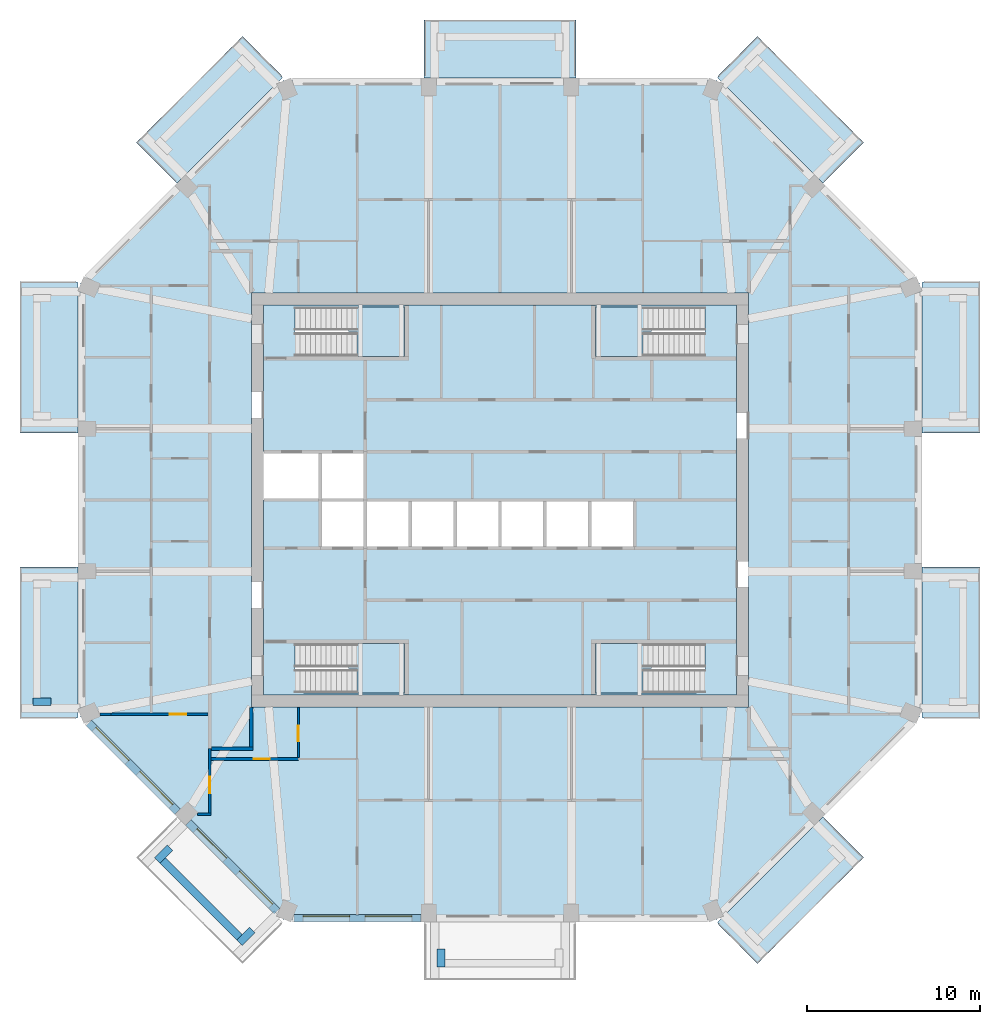
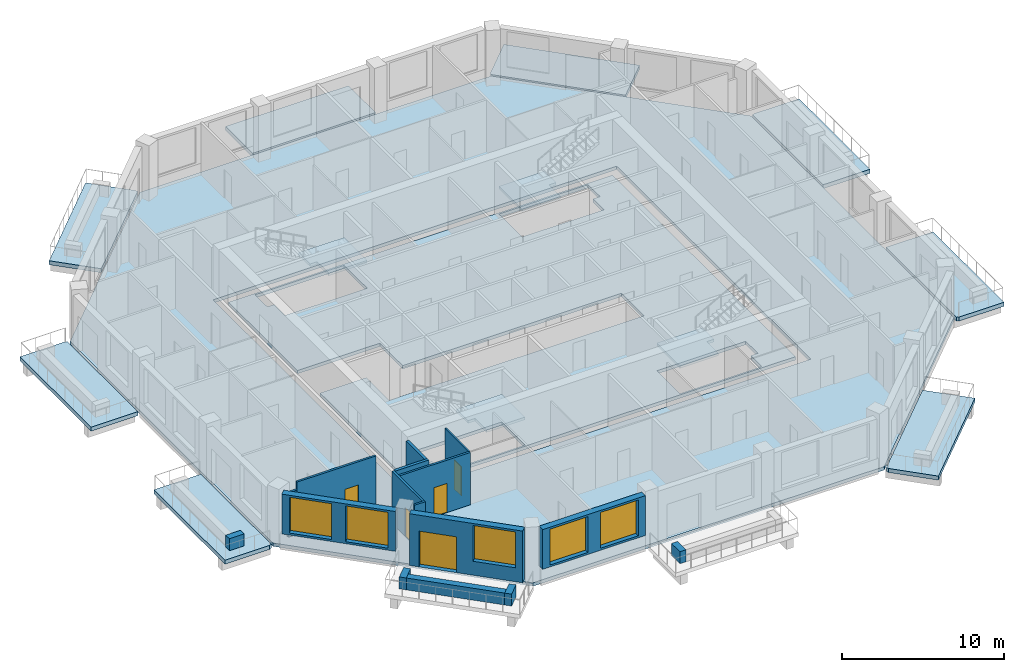
# One storey, part 2 of 12: 16 walls, 14 slabs, 5 doors, 5 windows, 10 openings, 4 elements without a shape of their own.
"""IFC4 building model written with IfcOpenShell, lengths in metres."""

from ifc_helpers import new_model, si_unit, direction, frame, frame_2d, origin, place, context, subcontext, project, spatial, polyline, rectangle, outline, extrude, material, layer, layer_set, type_object, element, fill, aggregate, save


model = new_model("IFC4")

# Units and contexts
model_context = context("Model", 3, precision=1e-05, world=origin(), true_north=direction((0.0, 1.0)))
body_context = subcontext(model_context, "Body", "Model", "MODEL_VIEW")
ifc_project = project(units=[si_unit("LENGTHUNIT", "METRE"), si_unit("AREAUNIT", "SQUARE_METRE"), si_unit("VOLUMEUNIT", "CUBIC_METRE"), si_unit("PLANEANGLEUNIT", "RADIAN"), si_unit("MASSUNIT", "GRAM", prefix="KILO")], contexts=[model_context])

# Site, building, storey
site_placement = place(None, origin())
site = spatial("IfcSite", under=ifc_project, at=site_placement, CompositionType="ELEMENT")
building_placement = place(site_placement, origin())
building = spatial("IfcBuilding", under=site, at=building_placement, Name="Msitu Wima Residences", CompositionType="ELEMENT")
storey_placement = place(building_placement, frame((0.0, 0.0, 170.699951171875)))
storey = spatial("IfcBuildingStorey", under=building, at=storey_placement, Name="L39", CompositionType="ELEMENT", Elevation=170.699951171875)

# Slabs
ifc_material_1 = material(Name="Concrete C40/50", Category="concrete")
ifc_layer_1 = layer(ifc_material_1, 0.300048828125)
ifc_layer_set_1 = layer_set([ifc_layer_1], Name="Concrete C40/50")
slab_type_1 = type_object("IfcSlabType", Name="Balcony slab BS300", PredefinedType="FLOOR", material=ifc_layer_set_1)
slab_1_placement = place(storey_placement, frame((0.0, 0.0, -0.300048828125)))
element("IfcSlab", 1, at=slab_1_placement, inside=storey, type_object=slab_type_1, Name="Balcony E0 L39", PredefinedType="FLOOR", context=body_context, shape_type="SweptSolid", body=[
    extrude(outline(polyline([(24.449951171875, -12.111083984375), (24.449951171875, -12.111083984375), (24.449951171875, -4.587158203125), (24.449951171875, -4.587158203125), (24.449951171875, -3.88720703125), (27.800048828125, -3.88720703125), (27.800048828125, -12.661865234375), (24.603515625, -12.661865234375), (24.449951171875, -12.59814453125), (24.449951171875, -12.111083984375), (24.449951171875, -12.111083984375)])), origin(), (0.0, 0.0, 1.0), 0.300048828125),
])
slab_2_placement = place(storey_placement, frame((0.0, 0.0, -0.300048828125)))
element("IfcSlab", 2, at=slab_2_placement, inside=storey, type_object=slab_type_1, Name="Balcony E2 L39", PredefinedType="FLOOR", context=body_context, shape_type="SweptSolid", body=[
    extrude(outline(polyline([(24.449951171875, 12.111083984375), (24.449951171875, 12.111083984375), (24.449951171875, 12.111083984375), (24.449951171875, 12.59814453125), (24.603515625, 12.661865234375), (27.800048828125, 12.661865234375), (27.800048828125, 3.88720703125), (24.449951171875, 3.88720703125), (24.449951171875, 4.587158203125), (24.449951171875, 12.111083984375)])), origin(), (0.0, 0.0, 1.0), 0.300048828125),
])
slab_3_placement = place(storey_placement, frame((0.0, 0.0, -0.300048828125)))
element("IfcSlab", 3, at=slab_3_placement, inside=storey, type_object=slab_type_1, Name="Balcony NE1 L39", PredefinedType="FLOOR", context=body_context, shape_type="SweptSolid", body=[
    extrude(outline(polyline([(12.942626953125, 24.10546875), (12.942626953125, 24.10546875), (12.59814453125, 24.449951171875), (12.661865234375, 24.603515625), (14.922119140625, 26.86376953125), (21.069580078125, 20.716064453125), (18.700927734375, 18.347412109375), (12.942626953125, 24.10546875), (12.942626953125, 24.10546875)])), origin(), (0.0, 0.0, 1.0), 0.300048828125),
])
slab_4_placement = place(storey_placement, frame((0.0, 0.0, -0.300048828125)))
element("IfcSlab", 4, at=slab_4_placement, inside=storey, type_object=slab_type_1, Name="Balcony N1 L39", PredefinedType="FLOOR", context=body_context, shape_type="SweptSolid", body=[
    extrude(outline(polyline([(3.687255859375, 24.449951171875), (-3.687255859375, 24.449951171875), (-4.38720703125, 24.449951171875), (-4.38720703125, 27.800048828125), (4.38720703125, 27.800048828125), (4.38720703125, 24.449951171875), (3.687255859375, 24.449951171875)])), origin(), (0.0, 0.0, 1.0), 0.300048828125),
])
slab_5_placement = place(storey_placement, frame((0.0, 0.0, -0.300048828125)))
element("IfcSlab", 5, at=slab_5_placement, inside=storey, type_object=slab_type_1, Name="Balcony NW0 L39", PredefinedType="FLOOR", context=body_context, shape_type="SweptSolid", body=[
    extrude(outline(polyline([(-12.942626953125, 24.10546875), (-12.942626953125, 24.10546875), (-18.700927734375, 18.347412109375), (-21.069580078125, 20.716064453125), (-14.922119140625, 26.86376953125), (-12.661865234375, 24.603515625), (-12.59814453125, 24.449951171875), (-12.942626953125, 24.10546875), (-12.942626953125, 24.10546875)])), origin(), (0.0, 0.0, 1.0), 0.300048828125),
])
slab_6_placement = place(storey_placement, frame((0.0, 0.0, -0.300048828125)))
element("IfcSlab", 6, at=slab_6_placement, inside=storey, type_object=slab_type_1, Name="Balcony W0 L39", PredefinedType="FLOOR", context=body_context, shape_type="SweptSolid", body=[
    extrude(outline(polyline([(-24.449951171875, 12.111083984375), (-24.449951171875, 12.111083984375), (-24.449951171875, 4.587158203125), (-24.449951171875, 3.88720703125), (-27.800048828125, 3.88720703125), (-27.800048828125, 12.661865234375), (-24.603515625, 12.661865234375), (-24.449951171875, 12.59814453125), (-24.449951171875, 12.111083984375), (-24.449951171875, 12.111083984375)])), origin(), (0.0, 0.0, 1.0), 0.300048828125),
])
slab_7_placement = place(storey_placement, frame((0.0, 0.0, -0.300048828125)))
element("IfcSlab", 7, at=slab_7_placement, inside=storey, type_object=slab_type_1, Name="Balcony W2 L39", PredefinedType="FLOOR", context=body_context, shape_type="SweptSolid", body=[
    extrude(outline(polyline([(-24.449951171875, -12.111083984375), (-24.449951171875, -12.111083984375), (-24.449951171875, -12.59814453125), (-24.603515625, -12.661865234375), (-27.800048828125, -12.661865234375), (-27.800048828125, -3.88720703125), (-24.449951171875, -3.88720703125), (-24.449951171875, -4.587158203125), (-24.449951171875, -4.587158203125), (-24.449951171875, -12.111083984375), (-24.449951171875, -12.111083984375)])), origin(), (0.0, 0.0, 1.0), 0.300048828125),
])
slab_8_placement = place(storey_placement, frame((0.0, 0.0, -0.300048828125)))
element("IfcSlab", 8, at=slab_8_placement, inside=storey, type_object=slab_type_1, Name="Balcony SE0 L39", PredefinedType="FLOOR", context=body_context, shape_type="SweptSolid", body=[
    extrude(outline(polyline([(12.942626953125, -24.10546875), (12.942626953125, -24.10546875), (18.700927734375, -18.347412109375), (21.069580078125, -20.716064453125), (14.922119140625, -26.86376953125), (12.661865234375, -24.603515625), (12.59814453125, -24.449951171875), (12.942626953125, -24.10546875), (12.942626953125, -24.10546875)])), origin(), (0.0, 0.0, 1.0), 0.300048828125),
])
ifc_layer_2 = layer(ifc_material_1, 0.25)
ifc_layer_set_2 = layer_set([ifc_layer_2], Name="Concrete C40/50")
slab_type_2 = type_object("IfcSlabType", Name="Core floor CF250", PredefinedType="FLOOR", material=ifc_layer_set_2)
slab_9_placement = place(storey_placement, frame((0.0, 0.0, -0.25)))
element("IfcSlab", 9, at=slab_9_placement, inside=storey, type_object=slab_type_2, Name="Core floor", PredefinedType="FLOOR", context=body_context, shape_type="SweptSolid", body=[
    extrude(outline(polyline([(-13.699951171875, 11.300048828125), (-13.699951171875, 2.800048828125), (-10.39990234375, 2.800048828125), (-7.800048828125, 2.800048828125), (-7.800048828125, 0.0), (-5.199951171875, 0.0), (-2.60009765625, 0.0), (0.0, 0.0), (2.60009765625, 0.0), (5.199951171875, 0.0), (7.800048828125, 0.0), (7.800048828125, -2.800048828125), (5.199951171875, -2.800048828125), (2.60009765625, -2.800048828125), (0.0, -2.800048828125), (-2.60009765625, -2.800048828125), (-5.199951171875, -2.800048828125), (-7.800048828125, -2.800048828125), (-10.39990234375, -2.800048828125), (-10.39990234375, 0.0), (-13.699951171875, 0.0), (-13.699951171875, -11.300048828125), (13.699951171875, -11.300048828125), (13.699951171875, 11.300048828125), (-13.699951171875, 11.300048828125)]), holes=[polyline([(-11.375, -11.175048828125), (-11.375, -9.824951171875), (-11.87451171875, -9.824951171875), (-11.87451171875, -8.324951171875), (-5.52490234375, -8.324951171875), (-5.52490234375, -11.175048828125), (-11.375, -11.175048828125)]), polyline([(-11.375, 8.324951171875), (-11.375, 9.675048828125), (-11.87451171875, 9.675048828125), (-11.87451171875, 11.175048828125), (-5.52490234375, 11.175048828125), (-5.52490234375, 8.324951171875), (-11.375, 8.324951171875)]), polyline([(11.375, -9.824951171875), (11.375, -11.175048828125), (5.52490234375, -11.175048828125), (5.52490234375, -8.324951171875), (11.87451171875, -8.324951171875), (11.87451171875, -9.824951171875), (11.375, -9.824951171875)]), polyline([(11.375, 9.675048828125), (11.375, 8.324951171875), (5.52490234375, 8.324951171875), (5.52490234375, 11.175048828125), (11.87451171875, 11.175048828125), (11.87451171875, 9.675048828125), (11.375, 9.675048828125)])]), origin(), (0.0, 0.0, 1.0), 0.25),
])
ifc_layer_3 = layer(ifc_material_1, 0.25)
ifc_layer_set_3 = layer_set([ifc_layer_3], Name="Concrete C40/50")
slab_type_3 = type_object("IfcSlabType", Name="PT flat slab 250 Concrete C40/50", PredefinedType="FLOOR", material=ifc_layer_set_3)
slab_10_placement = place(storey_placement, frame((0.0, 0.0, -0.25)))
element("IfcSlab", 10, at=slab_10_placement, inside=storey, type_object=slab_type_3, Name="Floor slab L39", PredefinedType="FLOOR", context=body_context, shape_type="SweptSolid", body=[
    extrude(outline(polyline([(24.300048828125, -12.5361328125), (12.5361328125, -24.300048828125), (-12.5361328125, -24.300048828125), (-24.300048828125, -12.5361328125), (-24.300048828125, 12.5361328125), (-12.5361328125, 24.300048828125), (12.5361328125, 24.300048828125), (24.300048828125, 12.5361328125), (24.300048828125, -12.5361328125)]), holes=[polyline([(-14.39990234375, -12.0), (14.39990234375, -12.0), (14.39990234375, 12.0), (-14.39990234375, 12.0), (-14.39990234375, -12.0)])]), origin(), (0.0, 0.0, 1.0), 0.25),
])

# Stair, slab
stair_type = type_object("IfcStairType", Name="Exit stair ES1615-135", PredefinedType="HALF_TURN_STAIR", material=ifc_material_1)
stair_1_placement = place(storey_placement, origin())
stair_1 = element("IfcStair", 11, at=stair_1_placement, inside=storey, type_object=stair_type, Name="Exit stair 1", PredefinedType="HALF_TURN_STAIR")
ifc_layer_4 = layer(ifc_material_1, 0.199951171875)
ifc_layer_set_4 = layer_set([ifc_layer_4], Name="Concrete C40/50")
slab_type_4 = type_object("IfcSlabType", Name="Stair landing SL200", PredefinedType="LANDING", material=ifc_layer_set_4)
slab_11_placement = place(storey_placement, frame((0.0, 0.0, 1.900146484375)))
slab_11 = element("IfcSlab", 12, at=slab_11_placement, type_object=slab_type_4, Name="S1 landing 1", PredefinedType="LANDING", context=body_context, shape_type="SweptSolid", body=[
    extrude(outline(polyline([(-5.52490234375, 8.324951171875), (-8.275390625, 8.324951171875), (-8.275390625, 9.75), (-8.77490234375, 9.75), (-8.77490234375, 11.175048828125), (-5.52490234375, 11.175048828125), (-5.52490234375, 8.324951171875)])), origin(), (0.0, 0.0, 1.0), 0.199951171875),
])
aggregate(stair_1, [slab_11])

stair_2_placement = place(storey_placement, origin())
stair_2 = element("IfcStair", 13, at=stair_2_placement, inside=storey, type_object=stair_type, Name="Exit stair 2", PredefinedType="HALF_TURN_STAIR")
slab_12_placement = place(storey_placement, frame((0.0, 0.0, 1.900146484375)))
slab_12 = element("IfcSlab", 14, at=slab_12_placement, type_object=slab_type_4, Name="S2 landing 1", PredefinedType="LANDING", context=body_context, shape_type="SweptSolid", body=[
    extrude(outline(polyline([(-5.52490234375, -11.175048828125), (-8.275390625, -11.175048828125), (-8.275390625, -9.75), (-8.77490234375, -9.75), (-8.77490234375, -8.324951171875), (-5.52490234375, -8.324951171875), (-5.52490234375, -11.175048828125)])), origin(), (0.0, 0.0, 1.0), 0.199951171875),
])
aggregate(stair_2, [slab_12])

stair_3_placement = place(storey_placement, origin())
stair_3 = element("IfcStair", 15, at=stair_3_placement, inside=storey, type_object=stair_type, Name="Exit stair 3", PredefinedType="HALF_TURN_STAIR")
slab_13_placement = place(storey_placement, frame((0.0, 0.0, 1.900146484375)))
slab_13 = element("IfcSlab", 16, at=slab_13_placement, type_object=slab_type_4, Name="S3 landing 1", PredefinedType="LANDING", context=body_context, shape_type="SweptSolid", body=[
    extrude(outline(polyline([(5.52490234375, 8.324951171875), (8.275390625, 8.324951171875), (8.275390625, 9.75), (8.77490234375, 9.75), (8.77490234375, 11.175048828125), (5.52490234375, 11.175048828125), (5.52490234375, 8.324951171875)])), origin(), (0.0, 0.0, 1.0), 0.199951171875),
])
aggregate(stair_3, [slab_13])

stair_4_placement = place(storey_placement, origin())
stair_4 = element("IfcStair", 17, at=stair_4_placement, inside=storey, type_object=stair_type, Name="Exit stair 4", PredefinedType="HALF_TURN_STAIR")
slab_14_placement = place(storey_placement, frame((0.0, 0.0, 1.900146484375)))
slab_14 = element("IfcSlab", 18, at=slab_14_placement, type_object=slab_type_4, Name="S4 landing 1", PredefinedType="LANDING", context=body_context, shape_type="SweptSolid", body=[
    extrude(outline(polyline([(5.52490234375, -11.175048828125), (8.275390625, -11.175048828125), (8.275390625, -9.75), (8.77490234375, -9.75), (8.77490234375, -8.324951171875), (5.52490234375, -8.324951171875), (5.52490234375, -11.175048828125)])), origin(), (0.0, 0.0, 1.0), 0.199951171875),
])
aggregate(stair_4, [slab_14])

# Walls
ifc_material_2 = material(Name="Facing brick")
ifc_layer_5 = layer(ifc_material_2, 0.06494140625, Name="Facing brick")
ifc_layer_6 = layer(ifc_material_1, 0.156005859375, Name="Concrete C40/50")
ifc_material_3 = material(Name="Waterproofing membrane")
ifc_layer_7 = layer(ifc_material_3, 0.00390625, Name="Waterproofing membrane")
ifc_material_4 = material(Name="Planting soil and planting")
ifc_layer_8 = layer(ifc_material_4, 0.22509765625, Name="Planting soil and planting")
ifc_layer_set_5 = layer_set([ifc_layer_5, ifc_layer_6, ifc_layer_7, ifc_layer_8], Name="Concrete C40/50")
wall_type_1 = type_object("IfcWallType", Name="Balcony planter PLANTER PL450", PredefinedType="USERDEFINED", material=ifc_layer_set_5)
wall_1_placement = place(storey_placement, frame((-26.0, -11.686767578125, 0.0), z_axis=(0.0, 0.0, 1.0), x_axis=(-1.0, 0.0, 0.0)))
element("IfcWall", 19, at=wall_1_placement, inside=storey, type_object=wall_type_1, Name="Balcony planter W2 L39", ObjectType="PLANTER", PredefinedType="USERDEFINED", context=body_context, shape_type="SweptSolid", body=[
    extrude(rectangle(XDim=1.050048828125, YDim=0.449951171875, at=frame_2d((0.52490234375, 0.0))), origin(), (0.0, 0.0, 1.0), 0.900146484375),
])
wall_2_placement = place(storey_placement, frame((-19.53173828125, -20.875244140625, 0.0), z_axis=(0.0, 0.0, 1.0), x_axis=(0.707106781187, -0.707106781187, 0.0)))
element("IfcWall", 20, at=wall_2_placement, inside=storey, type_object=wall_type_1, Name="Balcony planter SW1 L39", ObjectType="PLANTER", PredefinedType="USERDEFINED", context=body_context, shape_type="SweptSolid", body=[
    extrude(rectangle(XDim=6.294189453125, YDim=0.449951171875, at=frame_2d((3.14697265625, 0.0))), origin(), (0.0, 0.0, 1.0), 0.900146484375),
])
for number, where, z_axis, x_axis, name in (
    (21, (-19.107421875, -20.1328125, 0.0), (0.0, 0.0, 1.0), (-0.707106781187, -0.707106781187, 0.0), "Balcony planter SW1 L39"),
    (22, (-14.338623046875, -24.901611328125, 0.0), (0.0, 0.0, 1.0), (-0.707106781187, -0.707106781187, 0.0), "Balcony planter SW1 L39"),
    (23, (-3.412353515625, -26.0, 0.0), (0.0, 0.0, 1.0), (0.0, -1.0, 0.0), "Balcony planter S1 L39"),
):
    element("IfcWall", number, at=place(storey_placement, frame(where, z_axis=z_axis, x_axis=x_axis)), inside=storey, type_object=wall_type_1, Name=name, ObjectType="PLANTER", PredefinedType="USERDEFINED", context=body_context, shape_type="SweptSolid", body=[
        extrude(rectangle(XDim=1.050048828125, YDim=0.449951171875, at=frame_2d((0.52490234375, 0.0))), origin(), (0.0, 0.0, 1.0), 0.900146484375),
    ])

# Wall, openings, windows
ifc_material_5 = material(Name="Brick (red buff mix)", Category="masonry")
ifc_layer_9 = layer(ifc_material_5, 0.449951171875)
ifc_layer_set_6 = layer_set([ifc_layer_9], Name="Brick (red buff mix)")
wall_type_2 = type_object("IfcWallType", Name="Brick infill wall BW450", PredefinedType="SOLIDWALL", material=ifc_layer_set_6)
wall_3_placement = place(storey_placement, frame((-23.814697265625, -12.915283203125, 0.900146484375), z_axis=(0.0, 0.0, 1.0), x_axis=(0.707106781187, -0.707106781187, 0.0)))
wall_3 = element("IfcWall", 24, at=wall_3_placement, inside=storey, type_object=wall_type_2, Name="Brick infill wall L39 SW0", PredefinedType="SOLIDWALL", context=body_context, shape_type="SweptSolid", body=[
    extrude(rectangle(XDim=7.257080078125, YDim=0.449951171875, at=frame_2d((3.62841796875, 0.0))), origin(), (0.0, 0.0, 1.0), 3.0),
])
opening_1_placement = place(wall_3_placement, frame((0.478515625, 0.0, 0.14990234375)))
opening_1 = element("IfcOpeningElement", 25, at=opening_1_placement, cuts=wall_3, Name="Opening W38-39.024", PredefinedType="OPENING", context=body_context, shape_type="SweptSolid", body=[
    extrude(rectangle(XDim=2.699951171875, YDim=2.699951171875, at=frame_2d((1.35009765625, 1.35009765625))), frame((0.0, 0.23486328125, 0.0), z_axis=(0.0, -1.0, 0.0), x_axis=(1.0, 0.0, 0.0)), (0.0, 0.0, 1.0), 0.469970703125),
])
opening_2_placement = place(wall_3_placement, frame((4.07861328125, 0.0, 0.14990234375)))
opening_2 = element("IfcOpeningElement", 26, at=opening_2_placement, cuts=wall_3, Name="Opening W38-39.025", PredefinedType="OPENING", context=body_context, shape_type="SweptSolid", body=[
    extrude(rectangle(XDim=2.699951171875, YDim=2.699951171875, at=frame_2d((1.35009765625, 1.35009765625))), frame((0.0, 0.23486328125, 0.0), z_axis=(0.0, -1.0, 0.0), x_axis=(1.0, 0.0, 0.0)), (0.0, 0.0, 1.0), 0.469970703125),
])
ifc_material_6 = material(Name="Anodised aluminium, bronze finish, clear low-emissivity double glazing", Category="aluminium")
window_type = type_object("IfcWindowType", Name="Window W2700x2700", PartitioningType="DOUBLE_PANEL_VERTICAL", PredefinedType="WINDOW", material=ifc_material_6)
window_1_placement = place(opening_1_placement, origin())
window_1 = element("IfcWindow", 27, at=window_1_placement, inside=storey, type_object=window_type, Name="Window L39 SW0.1", OverallHeight=2.699951171875, OverallWidth=2.699951171875, PartitioningType="SINGLE_PANEL", PredefinedType="WINDOW", context=body_context, shape_type="SweptSolid", body=[
    extrude(rectangle(XDim=2.699951171875, YDim=2.699951171875, at=frame_2d((1.35009765625, 1.35009765625))), frame((0.0, 0.135009765625, 0.0), z_axis=(0.0, -1.0, 0.0), x_axis=(1.0, 0.0, 0.0)), (0.0, 0.0, 1.0), 0.06005859375),
])
fill(opening_1, window_1)
window_2_placement = place(opening_2_placement, origin())
window_2 = element("IfcWindow", 28, at=window_2_placement, inside=storey, type_object=window_type, Name="Window L39 SW0.2", OverallHeight=2.699951171875, OverallWidth=2.699951171875, PartitioningType="SINGLE_PANEL", PredefinedType="WINDOW", context=body_context, shape_type="SweptSolid", body=[
    extrude(rectangle(XDim=2.699951171875, YDim=2.699951171875, at=frame_2d((1.35009765625, 1.35009765625))), frame((0.0, 0.135009765625, 0.0), z_axis=(0.0, -1.0, 0.0), x_axis=(1.0, 0.0, 0.0)), (0.0, 0.0, 1.0), 0.06005859375),
])
fill(opening_2, window_2)

# Wall, openings, door, window
wall_4_placement = place(storey_placement, frame((-18.046875, -18.68310546875, 0.0), z_axis=(0.0, 0.0, 1.0), x_axis=(0.707106781187, -0.707106781187, 0.0)))
wall_4 = element("IfcWall", 29, at=wall_4_placement, inside=storey, type_object=wall_type_2, Name="Brick infill wall L39 SW1", PredefinedType="SOLIDWALL", context=body_context, shape_type="SweptSolid", body=[
    extrude(rectangle(XDim=7.257080078125, YDim=0.449951171875, at=frame_2d((3.62841796875, 0.0))), origin(), (0.0, 0.0, 1.0), 3.900146484375),
])
opening_3_placement = place(wall_4_placement, frame((0.6142578125, 0.0, 0.0)))
opening_3 = element("IfcOpeningElement", 30, at=opening_3_placement, cuts=wall_4, Name="Opening D38-39.008", PredefinedType="OPENING", context=body_context, shape_type="SweptSolid", body=[
    extrude(rectangle(XDim=2.39990234375, YDim=2.699951171875, at=frame_2d((1.199951171875, 1.35009765625))), frame((0.0, 0.23486328125, 0.0), z_axis=(0.0, -1.0, 0.0), x_axis=(1.0, 0.0, 0.0)), (0.0, 0.0, 1.0), 0.469970703125),
])
opening_4_placement = place(wall_4_placement, frame((4.07861328125, 0.0, 1.050048828125)))
opening_4 = element("IfcOpeningElement", 31, at=opening_4_placement, cuts=wall_4, Name="Opening W38-39.026", PredefinedType="OPENING", context=body_context, shape_type="SweptSolid", body=[
    extrude(rectangle(XDim=2.699951171875, YDim=2.699951171875, at=frame_2d((1.35009765625, 1.35009765625))), frame((0.0, 0.23486328125, 0.0), z_axis=(0.0, -1.0, 0.0), x_axis=(1.0, 0.0, 0.0)), (0.0, 0.0, 1.0), 0.469970703125),
])
door_type_1 = type_object("IfcDoorType", Name="Balcony door D2400x2700", OperationType="SLIDING_TO_LEFT", PredefinedType="DOOR", material=ifc_material_6)
door_1_placement = place(opening_3_placement, origin())
door_1 = element("IfcDoor", 32, at=door_1_placement, inside=storey, type_object=door_type_1, Name="Balcony door L39 SW1", OperationType="SINGLE_SWING_LEFT", OverallHeight=2.699951171875, OverallWidth=2.39990234375, PredefinedType="DOOR", context=body_context, shape_type="SweptSolid", body=[
    extrude(rectangle(XDim=2.39990234375, YDim=2.699951171875, at=frame_2d((1.199951171875, 1.35009765625))), frame((0.0, 0.1298828125, 0.0), z_axis=(0.0, -1.0, 0.0), x_axis=(1.0, 0.0, 0.0)), (0.0, 0.0, 1.0), 0.050048828125),
])
fill(opening_3, door_1)
window_3_placement = place(opening_4_placement, origin())
window_3 = element("IfcWindow", 33, at=window_3_placement, inside=storey, type_object=window_type, Name="Window L39 SW1.2", OverallHeight=2.699951171875, OverallWidth=2.699951171875, PartitioningType="SINGLE_PANEL", PredefinedType="WINDOW", context=body_context, shape_type="SweptSolid", body=[
    extrude(rectangle(XDim=2.699951171875, YDim=2.699951171875, at=frame_2d((1.35009765625, 1.35009765625))), frame((0.0, 0.135009765625, 0.0), z_axis=(0.0, -1.0, 0.0), x_axis=(1.0, 0.0, 0.0)), (0.0, 0.0, 1.0), 0.06005859375),
])
fill(opening_4, window_3)

# Wall, openings, windows
wall_5_placement = place(storey_placement, frame((-11.9248046875, -24.22509765625, 0.900146484375), z_axis=(0.0, 0.0, 1.0), x_axis=(1.0, 0.0, 0.0)))
wall_5 = element("IfcWall", 34, at=wall_5_placement, inside=storey, type_object=wall_type_2, Name="Brick infill wall L39 S0", PredefinedType="SOLIDWALL", context=body_context, shape_type="SweptSolid", body=[
    extrude(rectangle(XDim=7.337646484375, YDim=0.449951171875, at=frame_2d((3.6689453125, 0.0))), origin(), (0.0, 0.0, 1.0), 3.0),
])
opening_5_placement = place(wall_5_placement, frame((0.518798828125, 0.0, 0.14990234375)))
opening_5 = element("IfcOpeningElement", 35, at=opening_5_placement, cuts=wall_5, Name="Opening W38-39.016", PredefinedType="OPENING", context=body_context, shape_type="SweptSolid", body=[
    extrude(rectangle(XDim=2.699951171875, YDim=2.699951171875, at=frame_2d((1.35009765625, 1.35009765625))), frame((0.0, 0.23486328125, 0.0), z_axis=(0.0, -1.0, 0.0), x_axis=(1.0, 0.0, 0.0)), (0.0, 0.0, 1.0), 0.469970703125),
])
opening_6_placement = place(wall_5_placement, frame((4.11865234375, 0.0, 0.14990234375)))
opening_6 = element("IfcOpeningElement", 36, at=opening_6_placement, cuts=wall_5, Name="Opening W38-39.017", PredefinedType="OPENING", context=body_context, shape_type="SweptSolid", body=[
    extrude(rectangle(XDim=2.699951171875, YDim=2.699951171875, at=frame_2d((1.35009765625, 1.35009765625))), frame((0.0, 0.23486328125, 0.0), z_axis=(0.0, -1.0, 0.0), x_axis=(1.0, 0.0, 0.0)), (0.0, 0.0, 1.0), 0.469970703125),
])
window_4_placement = place(opening_5_placement, origin())
window_4 = element("IfcWindow", 37, at=window_4_placement, inside=storey, type_object=window_type, Name="Window L39 S0.1", OverallHeight=2.699951171875, OverallWidth=2.699951171875, PartitioningType="SINGLE_PANEL", PredefinedType="WINDOW", context=body_context, shape_type="SweptSolid", body=[
    extrude(rectangle(XDim=2.699951171875, YDim=2.699951171875, at=frame_2d((1.35009765625, 1.35009765625))), frame((0.0, 0.135009765625, 0.0), z_axis=(0.0, -1.0, 0.0), x_axis=(1.0, 0.0, 0.0)), (0.0, 0.0, 1.0), 0.06005859375),
])
fill(opening_5, window_4)
window_5_placement = place(opening_6_placement, origin())
window_5 = element("IfcWindow", 38, at=window_5_placement, inside=storey, type_object=window_type, Name="Window L39 S0.2", OverallHeight=2.699951171875, OverallWidth=2.699951171875, PartitioningType="SINGLE_PANEL", PredefinedType="WINDOW", context=body_context, shape_type="SweptSolid", body=[
    extrude(rectangle(XDim=2.699951171875, YDim=2.699951171875, at=frame_2d((1.35009765625, 1.35009765625))), frame((0.0, 0.135009765625, 0.0), z_axis=(0.0, -1.0, 0.0), x_axis=(1.0, 0.0, 0.0)), (0.0, 0.0, 1.0), 0.06005859375),
])
fill(opening_6, window_5)

# Walls
ifc_material_7 = material(Name="Plaster")
ifc_layer_10 = layer(ifc_material_7, 0.011962890625, Name="Plaster")
ifc_material_8 = material(Name="Concrete blockwork", Category="masonry")
ifc_layer_11 = layer(ifc_material_8, 0.176025390625, Name="Concrete blockwork")
ifc_layer_12 = layer(ifc_material_7, 0.011962890625, Name="Plaster")
ifc_layer_set_7 = layer_set([ifc_layer_10, ifc_layer_11, ifc_layer_12], Name="Concrete blockwork")
wall_type_3 = type_object("IfcWallType", Name="Corridor wall FW200", PredefinedType="PARTITIONING", material=ifc_layer_set_7)
wall_6_placement = place(storey_placement, frame((-16.699951171875, -14.39990234375, 0.0), z_axis=(0.0, 0.0, 1.0), x_axis=(1.0, 0.0, 0.0)))
element("IfcWall", 39, at=wall_6_placement, inside=storey, type_object=wall_type_3, Name="Corridor wall", PredefinedType="PARTITIONING", context=body_context, shape_type="SweptSolid", body=[
    extrude(rectangle(XDim=2.39990234375, YDim=0.199951171875, at=frame_2d((1.199951171875, 0.0))), origin(), (0.0, 0.0, 1.0), 3.949951171875),
])
wall_7_placement = place(storey_placement, frame((-14.39990234375, -14.300048828125, 0.0), z_axis=(0.0, 0.0, 1.0), x_axis=(0.0, 1.0, 0.0)))
element("IfcWall", 40, at=wall_7_placement, inside=storey, type_object=wall_type_3, Name="Corridor wall", PredefinedType="PARTITIONING", context=body_context, shape_type="SweptSolid", body=[
    extrude(rectangle(XDim=2.27001953125, YDim=0.199951171875, at=frame_2d((1.135009765625, 0.0))), origin(), (0.0, 0.0, 1.0), 3.949951171875),
])
ifc_layer_13 = layer(ifc_material_7, 0.011962890625, Name="Plaster")
ifc_layer_14 = layer(ifc_material_8, 0.1259765625, Name="Concrete blockwork")
ifc_layer_15 = layer(ifc_material_7, 0.011962890625, Name="Plaster")
ifc_layer_set_8 = layer_set([ifc_layer_13, ifc_layer_14, ifc_layer_15], Name="Concrete blockwork")
wall_type_4 = type_object("IfcWallType", Name="Partition PW150", PredefinedType="PARTITIONING", material=ifc_layer_set_8)
wall_8_placement = place(storey_placement, frame((-23.1689453125, -12.411865234375, 0.0), z_axis=(0.0, 0.0, 1.0), x_axis=(1.0, 0.0, 0.0)))
element("IfcWall", 41, at=wall_8_placement, inside=storey, type_object=wall_type_4, Name="Partition", PredefinedType="PARTITIONING", context=body_context, shape_type="SweptSolid", body=[
    extrude(rectangle(XDim=0.630615234375, YDim=0.14990234375, at=frame_2d((0.3154296875, 0.0))), origin(), (0.0, 0.0, 1.0), 3.35009765625),
])

# Wall, opening, door
wall_9_placement = place(storey_placement, frame((-22.538330078125, -12.411865234375, 0.0), z_axis=(0.0, 0.0, 1.0), x_axis=(1.0, 0.0, 0.0)))
wall_9 = element("IfcWall", 42, at=wall_9_placement, inside=storey, type_object=wall_type_4, Name="Partition", PredefinedType="PARTITIONING", context=body_context, shape_type="SweptSolid", body=[
    extrude(rectangle(XDim=5.638427734375, YDim=0.14990234375, at=frame_2d((2.8193359375, 0.0))), origin(), (0.0, 0.0, 1.0), 3.949951171875),
])
opening_7_placement = place(wall_9_placement, frame((3.41943359375, 0.0, 0.0)))
opening_7 = element("IfcOpeningElement", 43, at=opening_7_placement, cuts=wall_9, Name="Opening D38-39.042", PredefinedType="OPENING", context=body_context, shape_type="SweptSolid", body=[
    extrude(rectangle(XDim=0.949951171875, YDim=2.199951171875, at=frame_2d((0.47509765625, 1.10009765625))), frame((0.0, 0.0849609375, 0.0), z_axis=(0.0, -1.0, 0.0), x_axis=(1.0, 0.0, 0.0)), (0.0, 0.0, 1.0), 0.169921875),
])
ifc_material_9 = material(Name="Timber flush door", Category="wood")
door_type_2 = type_object("IfcDoorType", Name="Room door D12 950x2200", OperationType="SINGLE_SWING_LEFT", PredefinedType="DOOR", material=ifc_material_9)
door_2_placement = place(opening_7_placement, origin())
door_2 = element("IfcDoor", 44, at=door_2_placement, inside=storey, type_object=door_type_2, Name="Room door", OperationType="SINGLE_SWING_LEFT", OverallHeight=2.199951171875, OverallWidth=0.949951171875, PredefinedType="DOOR", context=body_context, shape_type="SweptSolid", body=[
    extrude(rectangle(XDim=0.949951171875, YDim=2.199951171875, at=frame_2d((0.47509765625, 1.10009765625))), frame((0.0, 0.02490234375, 0.0), z_axis=(0.0, -1.0, 0.0), x_axis=(1.0, 0.0, 0.0)), (0.0, 0.0, 1.0), 0.050048828125),
])
fill(opening_7, door_2)

# Wall
wall_10_placement = place(storey_placement, frame((-17.509521484375, -18.205810546875, 0.0), z_axis=(0.0, 0.0, 1.0), x_axis=(1.0, 0.0, 0.0)))
element("IfcWall", 45, at=wall_10_placement, inside=storey, type_object=wall_type_4, Name="Partition", PredefinedType="PARTITIONING", context=body_context, shape_type="SweptSolid", body=[
    extrude(rectangle(XDim=0.784423828125, YDim=0.14990234375, at=frame_2d((0.39208984375, 0.0))), origin(), (0.0, 0.0, 1.0), 3.949951171875),
])

# Wall, opening, door
wall_11_placement = place(storey_placement, frame((-16.800048828125, -18.130859375, 0.0), z_axis=(0.0, 0.0, 1.0), x_axis=(0.0, 1.0, 0.0)))
wall_11 = element("IfcWall", 46, at=wall_11_placement, inside=storey, type_object=wall_type_4, Name="Partition", PredefinedType="PARTITIONING", context=body_context, shape_type="SweptSolid", body=[
    extrude(rectangle(XDim=3.73095703125, YDim=0.14990234375, at=frame_2d((1.865478515625, 0.0))), origin(), (0.0, 0.0, 1.0), 3.949951171875),
])
opening_8_placement = place(wall_11_placement, frame((1.14990234375, 0.0, 0.0)))
opening_8 = element("IfcOpeningElement", 47, at=opening_8_placement, cuts=wall_11, Name="Opening D38-39.043", PredefinedType="OPENING", context=body_context, shape_type="SweptSolid", body=[
    extrude(rectangle(XDim=0.949951171875, YDim=2.199951171875, at=frame_2d((0.47509765625, 1.10009765625))), frame((0.0, 0.0849609375, 0.0), z_axis=(0.0, -1.0, 0.0), x_axis=(1.0, 0.0, 0.0)), (0.0, 0.0, 1.0), 0.169921875),
])
door_3_placement = place(opening_8_placement, origin())
door_3 = element("IfcDoor", 48, at=door_3_placement, inside=storey, type_object=door_type_2, Name="Room door", OperationType="SINGLE_SWING_LEFT", OverallHeight=2.199951171875, OverallWidth=0.949951171875, PredefinedType="DOOR", context=body_context, shape_type="SweptSolid", body=[
    extrude(rectangle(XDim=0.949951171875, YDim=2.199951171875, at=frame_2d((0.47509765625, 1.10009765625))), frame((0.0, 0.02490234375, 0.0), z_axis=(0.0, -1.0, 0.0), x_axis=(1.0, 0.0, 0.0)), (0.0, 0.0, 1.0), 0.050048828125),
])
fill(opening_8, door_3)

wall_12_placement = place(storey_placement, frame((-16.72509765625, -15.0, 0.0), z_axis=(0.0, 0.0, 1.0), x_axis=(1.0, 0.0, 0.0)))
wall_12 = element("IfcWall", 49, at=wall_12_placement, inside=storey, type_object=wall_type_4, Name="Partition", PredefinedType="PARTITIONING", context=body_context, shape_type="SweptSolid", body=[
    extrude(rectangle(XDim=5.050537109375, YDim=0.14990234375, at=frame_2d((2.525390625, 0.0))), origin(), (0.0, 0.0, 1.0), 3.949951171875),
])
opening_9_placement = place(wall_12_placement, frame((2.449951171875, 0.0, 0.0)))
opening_9 = element("IfcOpeningElement", 50, at=opening_9_placement, cuts=wall_12, Name="Opening D38-39.045", PredefinedType="OPENING", context=body_context, shape_type="SweptSolid", body=[
    extrude(rectangle(XDim=0.949951171875, YDim=2.199951171875, at=frame_2d((0.47509765625, 1.10009765625))), frame((0.0, 0.0849609375, 0.0), z_axis=(0.0, -1.0, 0.0), x_axis=(1.0, 0.0, 0.0)), (0.0, 0.0, 1.0), 0.169921875),
])
door_4_placement = place(opening_9_placement, origin())
door_4 = element("IfcDoor", 51, at=door_4_placement, inside=storey, type_object=door_type_2, Name="Room door", OperationType="SINGLE_SWING_RIGHT", OverallHeight=2.199951171875, OverallWidth=0.949951171875, PredefinedType="DOOR", context=body_context, shape_type="SweptSolid", body=[
    extrude(rectangle(XDim=0.949951171875, YDim=2.199951171875, at=frame_2d((0.47509765625, 1.10009765625))), frame((0.0, 0.02490234375, 0.0), z_axis=(0.0, -1.0, 0.0), x_axis=(1.0, 0.0, 0.0)), (0.0, 0.0, 1.0), 0.050048828125),
])
fill(opening_9, door_4)

ifc_material_10 = material(Name="Ceramic tiles")
ifc_layer_16 = layer(ifc_material_10, 0.008056640625, Name="Ceramic tiles")
ifc_material_11 = material(Name="Moisture-resistant board")
ifc_layer_17 = layer(ifc_material_11, 0.012451171875, Name="Moisture-resistant board")
ifc_material_12 = material(Name="Light-gauge stud framing with mineral wool")
ifc_layer_18 = layer(ifc_material_12, 0.06689453125, Name="Light-gauge stud framing with mineral wool")
ifc_layer_19 = layer(ifc_material_11, 0.012451171875, Name="Moisture-resistant board")
ifc_layer_set_9 = layer_set([ifc_layer_16, ifc_layer_17, ifc_layer_18, ifc_layer_19], Name="Light-gauge stud framing with mineral wool")
wall_type_5 = type_object("IfcWallType", Name="Wet wall PW100", PredefinedType="PARTITIONING", material=ifc_layer_set_9)
wall_13_placement = place(storey_placement, frame((-11.674560546875, -14.925048828125, 0.0), z_axis=(0.0, 0.0, 1.0), x_axis=(0.0, 1.0, 0.0)))
wall_13 = element("IfcWall", 52, at=wall_13_placement, inside=storey, type_object=wall_type_5, Name="Wet wall", PredefinedType="PARTITIONING", context=body_context, shape_type="SweptSolid", body=[
    extrude(rectangle(XDim=2.89501953125, YDim=0.10009765625, at=frame_2d((1.447509765625, 0.0))), origin(), (0.0, 0.0, 1.0), 3.949951171875),
])
opening_10_placement = place(wall_13_placement, frame((0.949951171875, 0.0, 0.0)))
opening_10 = element("IfcOpeningElement", 53, at=opening_10_placement, cuts=wall_13, Name="Opening D38-39.038", PredefinedType="OPENING", context=body_context, shape_type="SweptSolid", body=[
    extrude(rectangle(XDim=0.89990234375, YDim=2.199951171875, at=frame_2d((0.449951171875, 1.10009765625))), frame((0.0, 0.06005859375, 0.0), z_axis=(0.0, -1.0, 0.0), x_axis=(1.0, 0.0, 0.0)), (0.0, 0.0, 1.0), 0.1201171875),
])
door_type_3 = type_object("IfcDoorType", Name="Service door D05 900x2200", OperationType="SINGLE_SWING_LEFT", PredefinedType="DOOR", material=ifc_material_9)
door_5_placement = place(opening_10_placement, origin())
door_5 = element("IfcDoor", 54, at=door_5_placement, inside=storey, type_object=door_type_3, Name="Service door", OperationType="SINGLE_SWING_RIGHT", OverallHeight=2.199951171875, OverallWidth=0.89990234375, PredefinedType="DOOR", context=body_context, shape_type="SweptSolid", body=[
    extrude(rectangle(XDim=0.89990234375, YDim=2.199951171875, at=frame_2d((0.449951171875, 1.10009765625))), frame((0.0, 0.02490234375, 0.0), z_axis=(0.0, -1.0, 0.0), x_axis=(1.0, 0.0, 0.0)), (0.0, 0.0, 1.0), 0.050048828125),
])
fill(opening_10, door_5)

save(model, "model.ifc")
